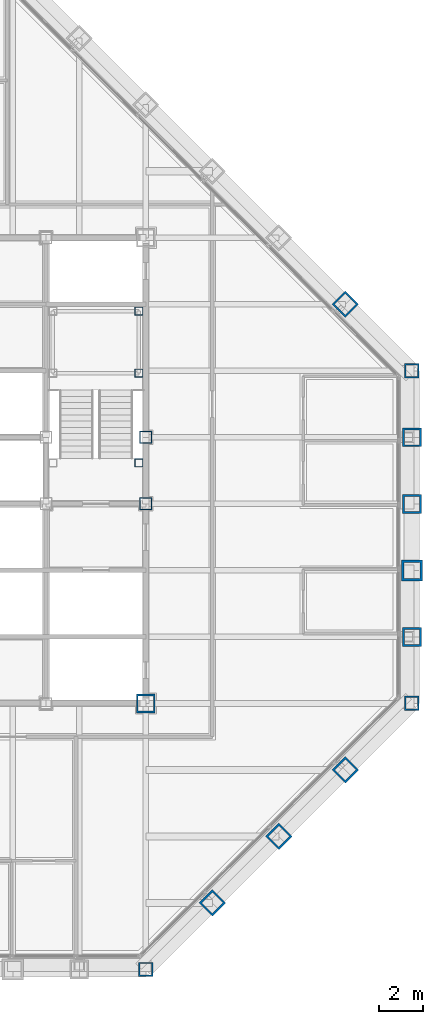
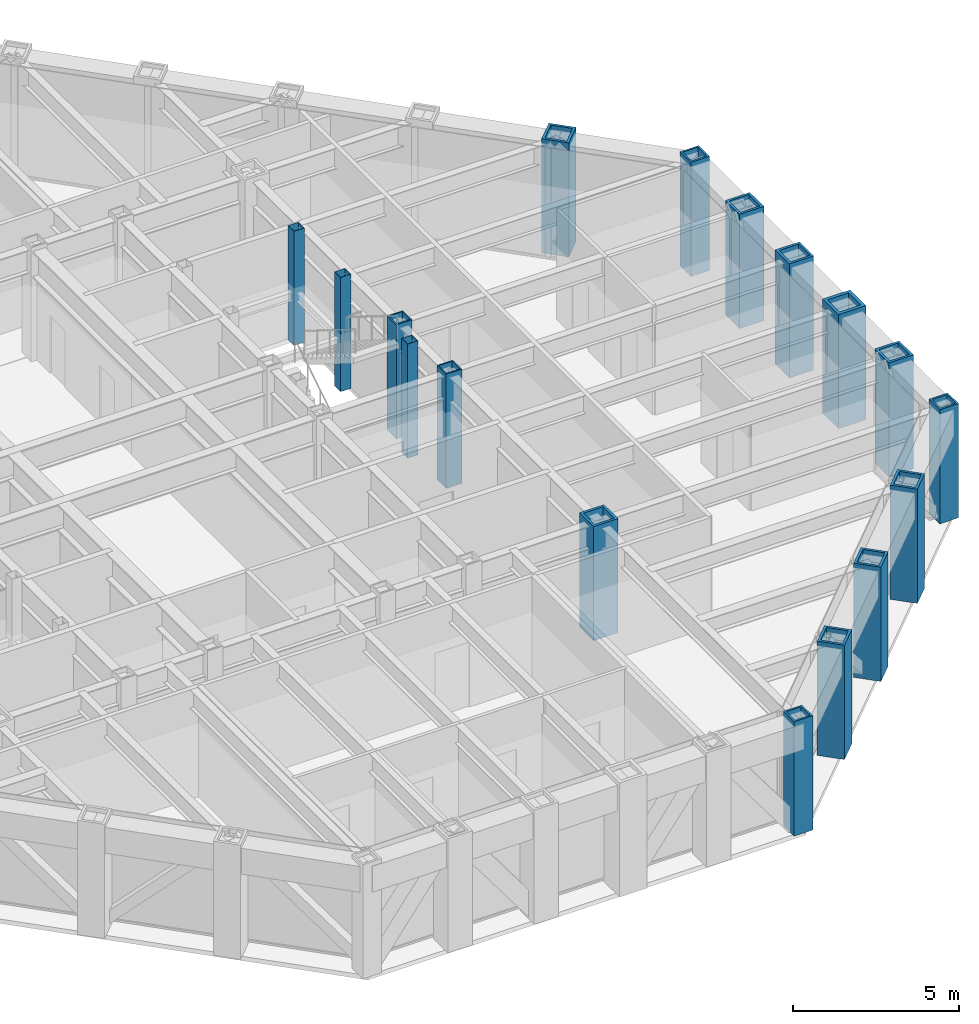
# One storey, part 3 of 16: 17 columns.
"""IFC4 building model written with IfcOpenShell, lengths in metres."""

from ifc_helpers import new_model, si_unit, direction, frame, origin, origin_2d, place, context, subcontext, project, spatial, hollow_rectangle, extrude, material, material_profile, profile_set, type_object, element, save


model = new_model("IFC4")

# Units and contexts
model_context = context("Model", 3, precision=1e-05, world=origin(), true_north=direction((0.0, 1.0)))
body_context = subcontext(model_context, "Body", "Model", "MODEL_VIEW")
ifc_project = project(units=[si_unit("LENGTHUNIT", "METRE"), si_unit("AREAUNIT", "SQUARE_METRE"), si_unit("VOLUMEUNIT", "CUBIC_METRE"), si_unit("PLANEANGLEUNIT", "RADIAN"), si_unit("MASSUNIT", "GRAM", prefix="KILO")], contexts=[model_context])

# Site, building, storey
site_placement = place(None, origin())
site = spatial("IfcSite", under=ifc_project, at=site_placement, CompositionType="ELEMENT")
building_placement = place(site_placement, origin())
building = spatial("IfcBuilding", under=site, at=building_placement, Name="Chuquiago Exchange Tower", CompositionType="ELEMENT")
storey_placement = place(building_placement, frame((0.0, 0.0, 243.300048828125)))
storey = spatial("IfcBuildingStorey", under=building, at=storey_placement, Name="L54", CompositionType="ELEMENT", Elevation=243.300048828125)

# Columns
ifc_material_1 = material(Name="Steel ASTM A572 Grade 50", Category="steel")
ifc_material_profile_1 = material_profile(ifc_material_1, hollow_rectangle(XDim=0.85009765625, YDim=0.85009765625, WallThickness=0.0849609375, at=origin_2d()), Name="BOX850X850X85")
ifc_profile_set_1 = profile_set([ifc_material_profile_1], Name="Steel ASTM A572 Grade 50")
column_type_1 = type_object("IfcColumnType", Name="C6 BOX850X850X85", PredefinedType="COLUMN", material=ifc_profile_set_1)
for number, where, z_axis, x_axis, name in (
    (1, (36.0, 3.0, 0.0), (0.0, 0.0, 1.0), (0.707106781187, -0.707106781187, 0.0), "COL-L54-36_3"),
    (2, (39.0, 6.0, 0.0), (0.0, 0.0, 1.0), (0.707106781187, -0.707106781187, 0.0), "COL-L54-39_6"),
    (3, (42.0, 9.0, 0.0), (0.0, 0.0, 1.0), (0.707106781187, -0.707106781187, 0.0), "COL-L54-42_9"),
    (4, (45.0, 15.0, 0.0), (0.0, 0.0, 1.0), (1.0, 0.0, 0.0), "COL-L54-45_15"),
    (5, (45.0, 21.0, 0.0), (0.0, 0.0, 1.0), (1.0, 0.0, 0.0), "COL-L54-45_21"),
    (6, (45.0, 24.0, 0.0), (0.0, 0.0, 1.0), (1.0, 0.0, 0.0), "COL-L54-45_24"),
    (7, (42.0, 30.0, 0.0), (0.0, 0.0, 1.0), (0.707106781187, 0.707106781187, 0.0), "COL-L54-42_30"),
):
    element("IfcColumn", number, at=place(storey_placement, frame(where, z_axis=z_axis, x_axis=x_axis)), inside=storey, type_object=column_type_1, Name=name, PredefinedType="COLUMN", context=body_context, shape_type="SweptSolid", body=[
        extrude(hollow_rectangle(XDim=0.85009765625, YDim=0.85009765625, WallThickness=0.0849609375, at=origin_2d()), origin(), (0.0, 0.0, 1.0), 4.199951171875),
    ])
ifc_material_2 = material(Name="Steel ASTM A572 Grade 50", Category="steel")
ifc_material_profile_2 = material_profile(ifc_material_2, hollow_rectangle(XDim=0.85009765625, YDim=0.85009765625, WallThickness=0.0849609375, at=origin_2d()), Name="BOX850X850X85")
ifc_profile_set_2 = profile_set([ifc_material_profile_2], Name="Steel ASTM A572 Grade 50")
column_type_2 = type_object("IfcColumnType", Name="CC6 BOX850X850X85", PredefinedType="COLUMN", material=ifc_profile_set_2)
column_1_placement = place(storey_placement, frame((33.0, 12.0, 0.0), z_axis=(0.0, 0.0, 1.0), x_axis=(1.0, 0.0, 0.0)))
element("IfcColumn", 8, at=column_1_placement, inside=storey, type_object=column_type_2, Name="CCOL-L54-33_12", PredefinedType="COLUMN", context=body_context, shape_type="SweptSolid", body=[
    extrude(hollow_rectangle(XDim=0.85009765625, YDim=0.85009765625, WallThickness=0.0849609375, at=origin_2d()), origin(), (0.0, 0.0, 1.0), 4.199951171875),
])
ifc_material_3 = material(Name="Steel ASTM A572 Grade 50", Category="steel")
ifc_material_profile_3 = material_profile(ifc_material_3, hollow_rectangle(XDim=0.550048828125, YDim=0.550048828125, WallThickness=0.044921875, at=origin_2d()), Name="BOX550X550X45")
ifc_profile_set_3 = profile_set([ifc_material_profile_3], Name="Steel ASTM A572 Grade 50")
column_type_3 = type_object("IfcColumnType", Name="CC8 BOX550X550X45", PredefinedType="COLUMN", material=ifc_profile_set_3)
for number, where, z_axis, x_axis, name in (
    (9, (33.0, 21.0, 0.0), (0.0, 0.0, 1.0), (1.0, 0.0, 0.0), "CCOL-L54-33_21"),
    (10, (33.0, 24.0, 0.0), (0.0, 0.0, 1.0), (1.0, 0.0, 0.0), "CCOL-L54-33_24"),
):
    element("IfcColumn", number, at=place(storey_placement, frame(where, z_axis=z_axis, x_axis=x_axis)), inside=storey, type_object=column_type_3, Name=name, PredefinedType="COLUMN", context=body_context, shape_type="SweptSolid", body=[
        extrude(hollow_rectangle(XDim=0.550048828125, YDim=0.550048828125, WallThickness=0.044921875, at=origin_2d()), origin(), (0.0, 0.0, 1.0), 4.199951171875),
    ])
ifc_material_4 = material(Name="Steel ASTM A572 Grade 50", Category="steel")
ifc_material_profile_4 = material_profile(ifc_material_4, hollow_rectangle(XDim=0.64990234375, YDim=0.64990234375, WallThickness=0.06494140625, at=origin_2d()), Name="BOX650X650X65")
ifc_profile_set_4 = profile_set([ifc_material_profile_4], Name="Steel ASTM A572 Grade 50")
column_type_4 = type_object("IfcColumnType", Name="CN2 BOX650X650X65", PredefinedType="COLUMN", material=ifc_profile_set_4)
for number, where, z_axis, x_axis, name in (
    (11, (33.0, 0.0, 0.0), (0.0, 0.0, 1.0), (0.0, -1.0, 0.0), "COL-L54-33_0"),
    (12, (45.0, 12.0, 0.0), (0.0, 0.0, 1.0), (1.0, 0.0, 0.0), "COL-L54-45_12"),
    (13, (45.0, 27.0, 0.0), (0.0, 0.0, 1.0), (1.0, 0.0, 0.0), "COL-L54-45_27"),
):
    element("IfcColumn", number, at=place(storey_placement, frame(where, z_axis=z_axis, x_axis=x_axis)), inside=storey, type_object=column_type_4, Name=name, PredefinedType="COLUMN", context=body_context, shape_type="SweptSolid", body=[
        extrude(hollow_rectangle(XDim=0.64990234375, YDim=0.64990234375, WallThickness=0.06494140625, at=origin_2d()), origin(), (0.0, 0.0, 1.0), 4.199951171875),
    ])
ifc_material_5 = material(Name="Steel ASTM A572 Grade 42", Category="steel")
ifc_material_profile_5 = material_profile(ifc_material_5, hollow_rectangle(XDim=0.949951171875, YDim=0.949951171875, WallThickness=0.110107421875, at=origin_2d()), Name="BOX950X950X110")
ifc_profile_set_5 = profile_set([ifc_material_profile_5], Name="Steel ASTM A572 Grade 42")
column_type_5 = type_object("IfcColumnType", Name="CT1 BOX950X950X110", PredefinedType="COLUMN", material=ifc_profile_set_5)
column_2_placement = place(storey_placement, frame((45.0, 18.0, 0.0), z_axis=(0.0, 0.0, 1.0), x_axis=(1.0, 0.0, 0.0)))
element("IfcColumn", 14, at=column_2_placement, inside=storey, type_object=column_type_5, Name="COL-L54-45_18", PredefinedType="COLUMN", context=body_context, shape_type="SweptSolid", body=[
    extrude(hollow_rectangle(XDim=0.949951171875, YDim=0.949951171875, WallThickness=0.110107421875, at=origin_2d()), origin(), (0.0, 0.0, 1.0), 4.199951171875),
])
ifc_material_6 = material(Name="Steel ASTM A500 Grade C", Category="steel")
ifc_material_profile_6 = material_profile(ifc_material_6, hollow_rectangle(XDim=0.355712890625, YDim=0.355712890625, WallThickness=0.0087890625, at=origin_2d()), Name="HSS14X14X3/8")
ifc_profile_set_6 = profile_set([ifc_material_profile_6], Name="Steel ASTM A500 Grade C")
column_type_6 = type_object("IfcColumnType", Name="PT1 HSS14X14X3/8", PredefinedType="COLUMN", material=ifc_profile_set_6)
for number, where, z_axis, x_axis, name in (
    (15, (32.68994140625, 29.68994140625, 0.0), (0.0, 0.0, 1.0), (1.0, 0.0, 0.0), "Stair ST2 L54 landing post"),
    (16, (32.68994140625, 26.889892578125, 0.0), (0.0, 0.0, 1.0), (1.0, 0.0, 0.0), "Stair ST2 L54 landing post"),
    (17, (32.68994140625, 22.85009765625, 0.0), (0.0, 0.0, 1.0), (1.0, 0.0, 0.0), "Stair ST2 L54 landing post"),
):
    element("IfcColumn", number, at=place(storey_placement, frame(where, z_axis=z_axis, x_axis=x_axis)), inside=storey, type_object=column_type_6, Name=name, PredefinedType="COLUMN", context=body_context, shape_type="SweptSolid", body=[
        extrude(hollow_rectangle(XDim=0.355712890625, YDim=0.355712890625, WallThickness=0.0087890625, at=origin_2d()), origin(), (0.0, 0.0, 1.0), 4.199951171875),
    ])

save(model, "model.ifc")
